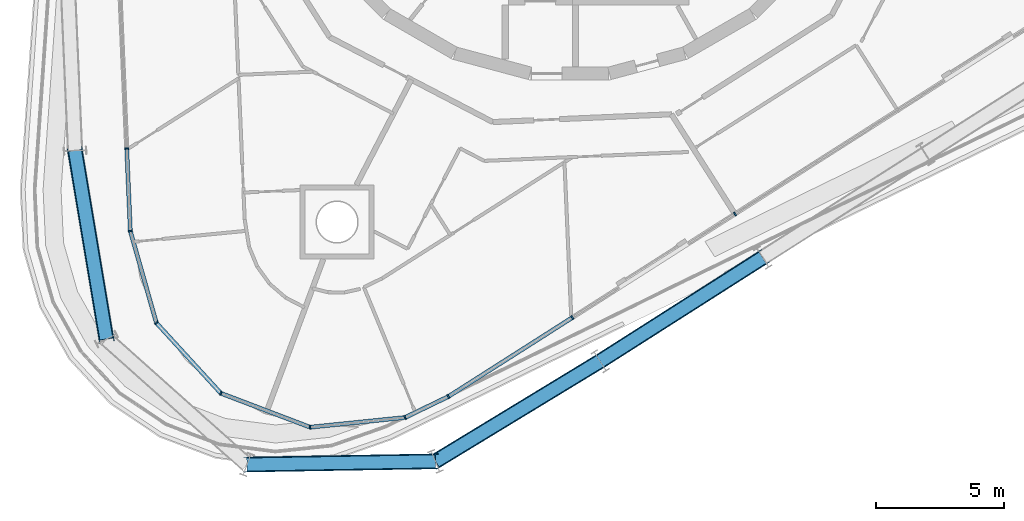
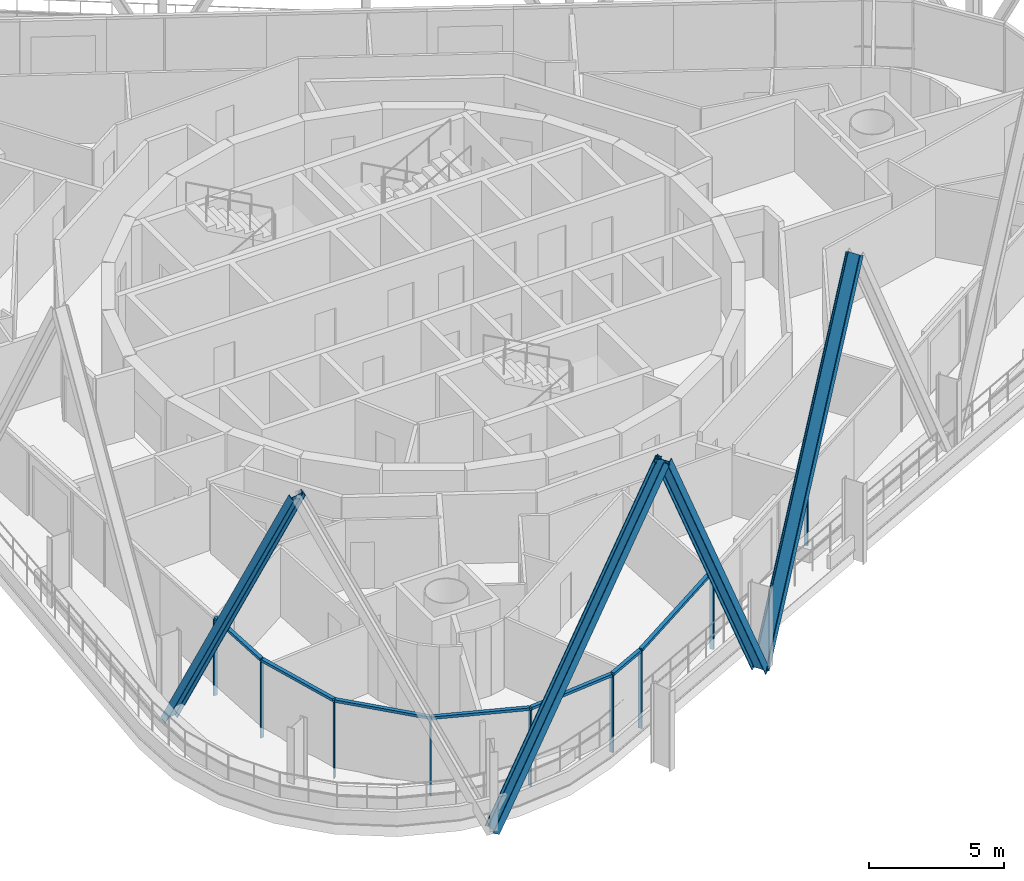
# One storey, part 2 of 20: 20 members, 2 elements without a shape of their own.
"""IFC4 building model written with IfcOpenShell, lengths in metres."""

from ifc_helpers import new_model, si_unit, direction, frame, origin, origin_2d, place, context, subcontext, project, spatial, rectangle, i_section, extrude, material, layer, layer_set, material_profile, profile_set, type_object, element, aggregate, save


model = new_model("IFC4")

# Units and contexts
model_context = context("Model", 3, precision=1e-05, world=origin(), true_north=direction((0.0, 1.0)))
body_context = subcontext(model_context, "Body", "Model", "MODEL_VIEW")
ifc_project = project(units=[si_unit("LENGTHUNIT", "METRE"), si_unit("AREAUNIT", "SQUARE_METRE"), si_unit("VOLUMEUNIT", "CUBIC_METRE"), si_unit("PLANEANGLEUNIT", "RADIAN"), si_unit("MASSUNIT", "GRAM", prefix="KILO")], contexts=[model_context])

# Site, building, storey
site_placement = place(None, origin())
site = spatial("IfcSite", under=ifc_project, at=site_placement, CompositionType="ELEMENT")
building_placement = place(site_placement, origin())
building = spatial("IfcBuilding", under=site, at=building_placement, Name="Spindle Arch Residences", CompositionType="ELEMENT")
storey_placement = place(building_placement, frame((0.0, 0.0, 226.699951171875)))
storey = spatial("IfcBuildingStorey", under=building, at=storey_placement, Name="L57", CompositionType="ELEMENT", Elevation=226.699951171875)

# Curtain wall, members
ifc_material_1 = material(Name="Aluminium bronze unitised frame with tinted glass", Category="aluminium")
ifc_layer_1 = layer(ifc_material_1, 0.159912109375)
ifc_layer_set_1 = layer_set([ifc_layer_1], Name="CW-D corner wall on the fillet arcs")
curtain_wall_type_1 = type_object("IfcCurtainWallType", Name="CW-D corner wall on the fillet arcs", PredefinedType="NOTDEFINED", material=ifc_layer_set_1)
curtain_wall_1_placement = place(storey_placement, origin())
curtain_wall_1 = element("IfcCurtainWall", 1, at=curtain_wall_1_placement, inside=storey, type_object=curtain_wall_type_1, Name="CW-D L57 run 5", PredefinedType="NOTDEFINED")
ifc_material_2 = material(Name="Aluminium bronze anodised mullion", Category="aluminium")
ifc_material_profile_1 = material_profile(ifc_material_2, rectangle(XDim=0.159912109375, YDim=0.06005859375, at=origin_2d()), Name="MU 60x160")
ifc_profile_set_1 = profile_set([ifc_material_profile_1], Name="Aluminium bronze anodised mullion")
member_type_1 = type_object("IfcMemberType", Name="Bronze mullion 60x160", PredefinedType="MULLION", material=ifc_profile_set_1)
member_1_placement = place(storey_placement, frame((-17.295166015625, -14.573486328125, -0.449951171875), z_axis=(0.0, 0.0, 1.0), x_axis=(0.999048221582, 0.043619387365, 0.0)))
member_1 = element("IfcMember", 2, at=member_1_placement, type_object=member_type_1, Name="CW-D mullion 00", PredefinedType="MULLION", context=body_context, shape_type="SweptSolid", body=[
    extrude(rectangle(XDim=0.159912109375, YDim=0.06005859375, at=origin_2d()), origin(), (0.0, 0.0, 1.0), 3.449951171875),
])
member_2_placement = place(storey_placement, frame((-17.154296875, -17.798828125, -0.449951171875), z_axis=(0.0, 0.0, 1.0), x_axis=(0.962059424213, 0.272839997585, 0.0)))
member_2 = element("IfcMember", 3, at=member_2_placement, type_object=member_type_1, Name="CW-D mullion 01", PredefinedType="MULLION", context=body_context, shape_type="SweptSolid", body=[
    extrude(rectangle(XDim=0.159912109375, YDim=0.06005859375, at=origin_2d()), origin(), (0.0, 0.0, 1.0), 3.449951171875),
])
member_3_placement = place(storey_placement, frame((-16.137451171875, -21.384033203125, -0.449951171875), z_axis=(0.0, 0.0, 1.0), x_axis=(0.737277336881, 0.675590207538, 0.0)))
member_3 = element("IfcMember", 4, at=member_3_placement, type_object=member_type_1, Name="CW-D mullion 02", PredefinedType="MULLION", context=body_context, shape_type="SweptSolid", body=[
    extrude(rectangle(XDim=0.159912109375, YDim=0.06005859375, at=origin_2d()), origin(), (0.0, 0.0, 1.0), 3.449951171875),
])
member_4_placement = place(storey_placement, frame((-13.61962890625, -24.1318359375, -0.449951171875), z_axis=(0.0, 0.0, 1.0), x_axis=(0.355650760994, 0.934618925661, 0.0)))
member_4 = element("IfcMember", 5, at=member_4_placement, type_object=member_type_1, Name="CW-D mullion 03", PredefinedType="MULLION", context=body_context, shape_type="SweptSolid", body=[
    extrude(rectangle(XDim=0.159912109375, YDim=0.06005859375, at=origin_2d()), origin(), (0.0, 0.0, 1.0), 3.449951171875),
])
member_5_placement = place(storey_placement, frame((-10.13671875, -25.457275390625, -0.449951171875), z_axis=(0.0, 0.0, 1.0), x_axis=(-0.10163508092, 0.994821748016, 0.0)))
member_5 = element("IfcMember", 6, at=member_5_placement, type_object=member_type_1, Name="CW-D mullion 04", PredefinedType="MULLION", context=body_context, shape_type="SweptSolid", body=[
    extrude(rectangle(XDim=0.159912109375, YDim=0.06005859375, at=origin_2d()), origin(), (0.0, 0.0, 1.0), 3.449951171875),
])
member_6_placement = place(storey_placement, frame((-6.42919921875, -25.078369140625, -0.449951171875), z_axis=(0.0, 0.0, 1.0), x_axis=(-0.435754813823, 0.900065409973, 0.0)))
member_6 = element("IfcMember", 7, at=member_6_placement, type_object=member_type_1, Name="CW-D mullion 05", PredefinedType="MULLION", context=body_context, shape_type="SweptSolid", body=[
    extrude(rectangle(XDim=0.159912109375, YDim=0.06005859375, at=origin_2d()), origin(), (0.0, 0.0, 1.0), 3.449951171875),
])
member_7_placement = place(storey_placement, frame((-4.74072265625, -24.260986328125, -0.449951171875), z_axis=(0.0, 0.0, 1.0), x_axis=(-0.537299608347, 0.843391445813, 0.0)))
member_7 = element("IfcMember", 8, at=member_7_placement, type_object=member_type_1, Name="CW-D mullion 06", PredefinedType="MULLION", context=body_context, shape_type="SweptSolid", body=[
    extrude(rectangle(XDim=0.159912109375, YDim=0.06005859375, at=origin_2d()), origin(), (0.0, 0.0, 1.0), 3.449951171875),
])

ifc_material_3 = material(Name="Aluminium bronze unitised frame with tinted glass", Category="aluminium")
ifc_layer_2 = layer(ifc_material_3, 0.159912109375)
ifc_layer_set_2 = layer_set([ifc_layer_2], Name="CW-C typical residential unitised wall")
curtain_wall_type_2 = type_object("IfcCurtainWallType", Name="CW-C typical residential unitised wall", PredefinedType="NOTDEFINED", material=ifc_layer_set_2)
curtain_wall_2_placement = place(storey_placement, origin())
curtain_wall_2 = element("IfcCurtainWall", 9, at=curtain_wall_2_placement, inside=storey, type_object=curtain_wall_type_2, Name="CW-C L57 run 6", PredefinedType="NOTDEFINED")
member_8_placement = place(storey_placement, frame((0.09912109375, -21.177734375, -0.449951171875), z_axis=(0.0, 0.0, 1.0), x_axis=(-0.537299608347, 0.843391445813, 0.0)))
member_8 = element("IfcMember", 10, at=member_8_placement, type_object=member_type_1, Name="CW-C mullion 20", PredefinedType="MULLION", context=body_context, shape_type="SweptSolid", body=[
    extrude(rectangle(XDim=0.159912109375, YDim=0.06005859375, at=origin_2d()), origin(), (0.0, 0.0, 1.0), 3.449951171875),
])
member_9_placement = place(storey_placement, frame((6.449951171875, -17.1318359375, -0.449951171875), z_axis=(0.0, 0.0, 1.0), x_axis=(-0.537299608347, 0.843391445813, 0.0)))
member_9 = element("IfcMember", 11, at=member_9_placement, type_object=member_type_1, Name="CW-C mullion 21", PredefinedType="MULLION", context=body_context, shape_type="SweptSolid", body=[
    extrude(rectangle(XDim=0.159912109375, YDim=0.06005859375, at=origin_2d()), origin(), (0.0, 0.0, 1.0), 3.449951171875),
])
aggregate(curtain_wall_2, [member_8, member_9])

# Member
ifc_material_4 = material(Name="Aluminium bronze anodised transom", Category="aluminium")
ifc_material_profile_2 = material_profile(ifc_material_4, rectangle(XDim=0.159912109375, YDim=0.1201171875, at=origin_2d()), Name="TR 120x160")
ifc_profile_set_2 = profile_set([ifc_material_profile_2], Name="Aluminium bronze anodised transom")
member_type_2 = type_object("IfcMemberType", Name="Bronze transom 120x160", PredefinedType="USERDEFINED", material=ifc_profile_set_2)
member_10_placement = place(storey_placement, frame((-17.293701171875, -14.603271484375, 3.06005859375), z_axis=(0.043611098121, -0.999048583464, 0.0), x_axis=(0.999048583464, 0.043611098121, 0.0)))
member_10 = element("IfcMember", 12, at=member_10_placement, type_object=member_type_2, Name="CW-D transom 00", ObjectType="TRANSOM", PredefinedType="USERDEFINED", context=body_context, shape_type="SweptSolid", body=[
    extrude(rectangle(XDim=0.159912109375, YDim=0.1201171875, at=origin_2d()), origin(), (0.0, 0.0, 1.0), 3.16845703125),
])

member_11_placement = place(storey_placement, frame((-17.146240234375, -17.82763671875, 3.06005859375), z_axis=(0.272856293247, -0.962054802616, 0.0), x_axis=(0.962054802616, 0.272856293247, 0.0)))
member_11 = element("IfcMember", 13, at=member_11_placement, type_object=member_type_2, Name="CW-D transom 01", ObjectType="TRANSOM", PredefinedType="USERDEFINED", context=body_context, shape_type="SweptSolid", body=[
    extrude(rectangle(XDim=0.159912109375, YDim=0.1201171875, at=origin_2d()), origin(), (0.0, 0.0, 1.0), 3.666748046875),
])

member_12_placement = place(storey_placement, frame((-16.1171875, -21.40625, 3.06005859375), z_axis=(0.675607033687, -0.737261918204, 0.0), x_axis=(0.737261918204, 0.675607033687, 0.0)))
member_12 = element("IfcMember", 14, at=member_12_placement, type_object=member_type_2, Name="CW-D transom 02", ObjectType="TRANSOM", PredefinedType="USERDEFINED", context=body_context, shape_type="SweptSolid", body=[
    extrude(rectangle(XDim=0.159912109375, YDim=0.1201171875, at=origin_2d()), origin(), (0.0, 0.0, 1.0), 3.666748046875),
])

member_13_placement = place(storey_placement, frame((-13.591796875, -24.142578125, 3.06005859375), z_axis=(0.934630056182, -0.355621509587, 0.0), x_axis=(0.355621509587, 0.934630056182, 0.0)))
member_13 = element("IfcMember", 15, at=member_13_placement, type_object=member_type_2, Name="CW-D transom 03", ObjectType="TRANSOM", PredefinedType="USERDEFINED", context=body_context, shape_type="SweptSolid", body=[
    extrude(rectangle(XDim=0.159912109375, YDim=0.1201171875, at=origin_2d()), origin(), (0.0, 0.0, 1.0), 3.666748046875),
])

member_14_placement = place(storey_placement, frame((-10.106689453125, -25.4541015625, 3.06005859375), z_axis=(0.994824669398, 0.101606481862, 0.0), x_axis=(-0.101606481862, 0.994824669398, 0.0)))
member_14 = element("IfcMember", 16, at=member_14_placement, type_object=member_type_2, Name="CW-D transom 04", ObjectType="TRANSOM", PredefinedType="USERDEFINED", context=body_context, shape_type="SweptSolid", body=[
    extrude(rectangle(XDim=0.159912109375, YDim=0.1201171875, at=origin_2d()), origin(), (0.0, 0.0, 1.0), 3.666748046875),
])

member_15_placement = place(storey_placement, frame((-6.402099609375, -25.0654296875, 3.06005859375), z_axis=(0.900028291694, 0.435831474484, 0.0), x_axis=(-0.435831474484, 0.900028291694, 0.0)))
member_15 = element("IfcMember", 17, at=member_15_placement, type_object=member_type_2, Name="CW-D transom 05", ObjectType="TRANSOM", PredefinedType="USERDEFINED", context=body_context, shape_type="SweptSolid", body=[
    extrude(rectangle(XDim=0.159912109375, YDim=0.1201171875, at=origin_2d()), origin(), (0.0, 0.0, 1.0), 1.816162109375),
])

member_16_placement = place(storey_placement, frame((-4.71533203125, -24.244873046875, 3.06005859375), z_axis=(0.843399381096, 0.537287152244, 0.0), x_axis=(-0.537287152244, 0.843399381096, 0.0)))
member_16 = element("IfcMember", 18, at=member_16_placement, type_object=member_type_2, Name="CW-D transom 06", ObjectType="TRANSOM", PredefinedType="USERDEFINED", context=body_context, shape_type="SweptSolid", body=[
    extrude(rectangle(XDim=0.159912109375, YDim=0.1201171875, at=origin_2d()), origin(), (0.0, 0.0, 1.0), 5.678466796875),
])

aggregate(curtain_wall_1, [member_1, member_10, member_2, member_11, member_3, member_12, member_4, member_13, member_5, member_14, member_6, member_15, member_7, member_16])

# Members
ifc_material_5 = material(Name="Steel S460ML, intumescent coating R 240", Category="steel")
ifc_material_profile_3 = material_profile(ifc_material_5, i_section(OverallWidth=0.300048828125, OverallDepth=0.60009765625, WebThickness=0.015380859375, FlangeThickness=0.030029296875, FilletRadius=0.027099609375, at=origin_2d()), Name="HEB 600")
ifc_profile_set_3 = profile_set([ifc_material_profile_3], Name="Steel S460ML, intumescent coating R 240")
member_type_3 = type_object("IfcMemberType", Name="Diagrid diagonal HEB 600", PredefinedType="BRACE", material=ifc_profile_set_3)
member_17_placement = place(storey_placement, frame((-19.313232421875, -14.66162109375, -0.699951171875), z_axis=(0.076875189671, -0.461879754457, 0.883604717979), x_axis=(-0.145071350216, 0.871614364832, 0.468233598073)))
element("IfcMember", 19, at=member_17_placement, inside=storey, type_object=member_type_3, Name="Diagrid diagonal 6.1.17", PredefinedType="BRACE", context=body_context, shape_type="SweptSolid", body=[
    extrude(i_section(OverallWidth=0.300048828125, OverallDepth=0.60009765625, WebThickness=0.015380859375, FlangeThickness=0.030029296875, FilletRadius=0.027099609375, at=origin_2d()), origin(), (0.0, 0.0, 1.0), 15.923583984375),
])
member_18_placement = place(storey_placement, frame((-12.599365234375, -26.9140625, -0.699951171875), z_axis=(0.463296554662, 0.007903565519, 0.886168063118), x_axis=(-0.886039143416, -0.015115304338, 0.463363964837)))
element("IfcMember", 20, at=member_18_placement, inside=storey, type_object=member_type_3, Name="Diagrid diagonal 6.1.19", PredefinedType="BRACE", context=body_context, shape_type="SweptSolid", body=[
    extrude(i_section(OverallWidth=0.300048828125, OverallDepth=0.60009765625, WebThickness=0.015380859375, FlangeThickness=0.030029296875, FilletRadius=0.027099609375, at=origin_2d()), origin(), (0.0, 0.0, 1.0), 15.87744140625),
])
member_19_placement = place(storey_placement, frame((1.1845703125, -22.88134765625, -0.699951171875), z_axis=(-0.402889576059, -0.244895164087, 0.881876605943), x_axis=(0.753581663974, 0.45806224886, 0.471480277308)))
element("IfcMember", 21, at=member_19_placement, inside=storey, type_object=member_type_3, Name="Diagrid diagonal 6.1.20", PredefinedType="BRACE", context=body_context, shape_type="SweptSolid", body=[
    extrude(i_section(OverallWidth=0.300048828125, OverallDepth=0.60009765625, WebThickness=0.015380859375, FlangeThickness=0.030029296875, FilletRadius=0.027099609375, at=origin_2d()), origin(), (0.0, 0.0, 1.0), 15.95458984375),
])
member_20_placement = place(storey_placement, frame((1.1845703125, -22.88134765625, -0.699951171875), z_axis=(0.397962650471, 0.253528506654, 0.881673990284), x_axis=(-0.743597709391, -0.473720879561, 0.471859062492)))
element("IfcMember", 22, at=member_20_placement, inside=storey, type_object=member_type_3, Name="Diagrid diagonal 6.1.21", PredefinedType="BRACE", context=body_context, shape_type="SweptSolid", body=[
    extrude(i_section(OverallWidth=0.300048828125, OverallDepth=0.60009765625, WebThickness=0.015380859375, FlangeThickness=0.030029296875, FilletRadius=0.027099609375, at=origin_2d()), origin(), (0.0, 0.0, 1.0), 15.958251953125),
])

save(model, "model.ifc")
